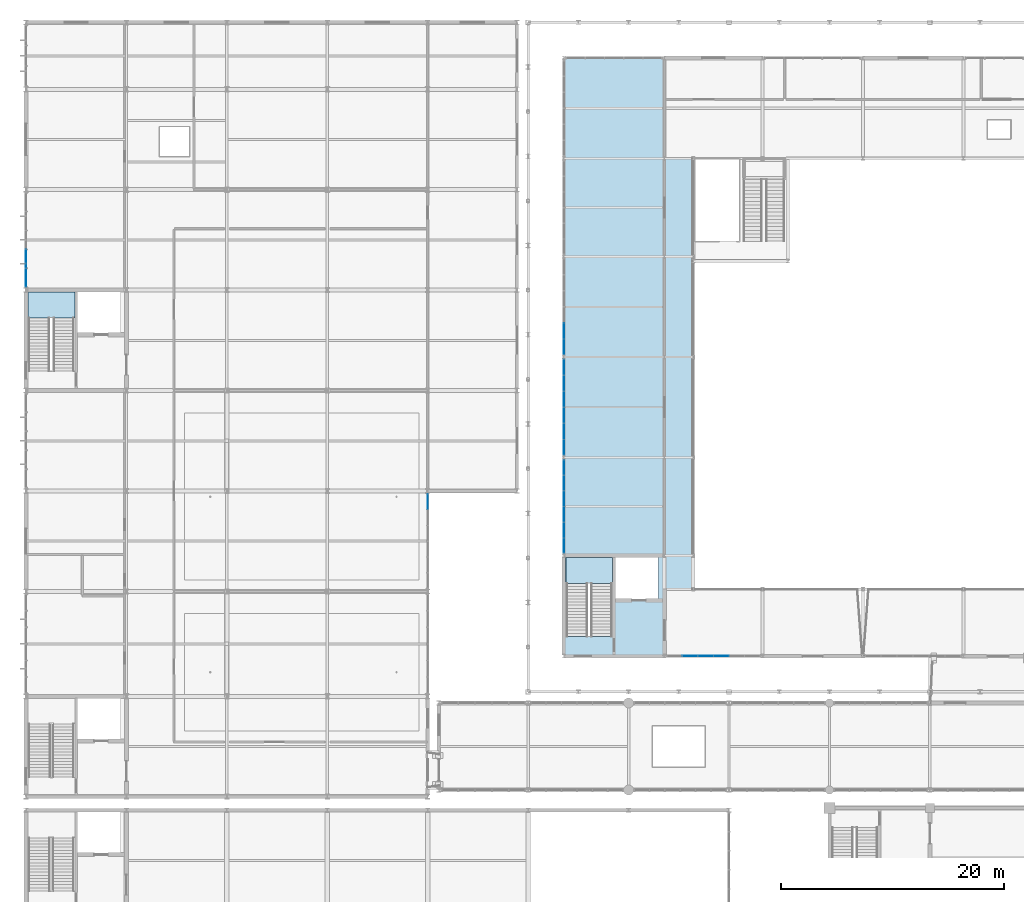
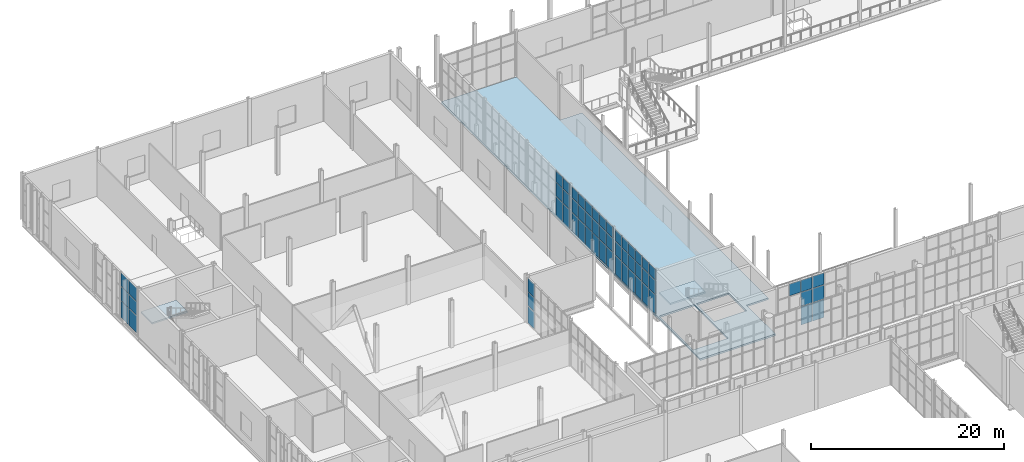
# One storey, part 103 of 159: 58 plates, 3 slabs, 8 elements without a shape of their own.
"""IFC4 building model written with IfcOpenShell, lengths in metres."""

from ifc_helpers import new_model, si_unit, direction, frame, origin, origin_2d, place, context, subcontext, project, spatial, polyline, rectangle, outline, extrude, material, layer, layer_set, type_object, element, aggregate, save


model = new_model("IFC4")

# Units and contexts
model_context = context("Model", 3, precision=1e-05, world=origin(), true_north=direction((0.0, 1.0)))
body_context = subcontext(model_context, "Body", "Model", "MODEL_VIEW")
ifc_project = project(units=[si_unit("LENGTHUNIT", "METRE"), si_unit("AREAUNIT", "SQUARE_METRE"), si_unit("VOLUMEUNIT", "CUBIC_METRE"), si_unit("PLANEANGLEUNIT", "RADIAN"), si_unit("MASSUNIT", "GRAM", prefix="KILO")], contexts=[model_context])

# Site, building, storey
site_placement = place(None, origin())
site = spatial("IfcSite", under=ifc_project, at=site_placement, CompositionType="ELEMENT")
building_placement = place(site_placement, origin())
building = spatial("IfcBuilding", under=site, at=building_placement, Name="Cazmaro Siding Exhibition Halls", CompositionType="ELEMENT")
storey_placement = place(building_placement, frame((0.0, 0.0, 6.0)))
storey = spatial("IfcBuildingStorey", under=building, at=storey_placement, Name="L01", CompositionType="ELEMENT", Elevation=6.0)

# Curtain wall, plates
ifc_material_1 = material(Name="Anodized Bronze Aluminum and Solar-Control Low-E Glazing", Category="aluminium")
ifc_layer_1 = layer(ifc_material_1, 0.179931640625)
ifc_layer_set_1 = layer_set([ifc_layer_1], Name="Anodized Bronze Aluminum and Solar-Control Low-E Glazing")
curtain_wall_type_1 = type_object("IfcCurtainWallType", Name="CWS-01", PredefinedType="USERDEFINED", material=ifc_layer_set_1)
curtain_wall_1_placement = place(storey_placement, origin())
curtain_wall_1 = element("IfcCurtainWall", 1, at=curtain_wall_1_placement, inside=storey, type_object=curtain_wall_type_1, Name="Glazed Curtain Wall CWS-01 CW-004", ObjectType="GLAZED CURTAIN WALL", PredefinedType="USERDEFINED")
ifc_material_2 = material(Name="Solar-Control Low-E Double Insulating Glass", Category="glass")
ifc_layer_2 = layer(ifc_material_2, 0.02392578125)
ifc_layer_set_2 = layer_set([ifc_layer_2], Name="Solar-Control Low-E Double Insulating Glass")
plate_type_1 = type_object("IfcPlateType", Name="CWP-01", PredefinedType="CURTAIN_PANEL", material=ifc_layer_set_2)
plate_1_placement = place(storey_placement, frame((59.49853515625, 67.199951171875, 4.22998046875), z_axis=(0.0, 0.0, 1.0), x_axis=(1.0, 0.0, 0.0)))
plate_1 = element("IfcPlate", 2, at=plate_1_placement, type_object=plate_type_1, Name="CWS-01 panel 2.3", PredefinedType="CURTAIN_PANEL", context=body_context, shape_type="SweptSolid", body=[
    extrude(rectangle(XDim=1.341064453125, YDim=0.02392578125, at=origin_2d()), origin(), (0.0, 0.0, 1.0), 1.489990234375),
])
plate_2_placement = place(storey_placement, frame((60.8994140625, 67.199951171875, 0.06005859375), z_axis=(0.0, 0.0, 1.0), x_axis=(1.0, 0.0, 0.0)))
plate_2 = element("IfcPlate", 3, at=plate_2_placement, type_object=plate_type_1, Name="CWS-01 panel 3.1", PredefinedType="CURTAIN_PANEL", context=body_context, shape_type="SweptSolid", body=[
    extrude(rectangle(XDim=1.341064453125, YDim=0.02392578125, at=origin_2d()), origin(), (0.0, 0.0, 1.0), 2.31005859375),
])
plate_3_placement = place(storey_placement, frame((60.8994140625, 67.199951171875, 2.43017578125), z_axis=(0.0, 0.0, 1.0), x_axis=(1.0, 0.0, 0.0)))
plate_3 = element("IfcPlate", 4, at=plate_3_placement, type_object=plate_type_1, Name="CWS-01 panel 3.2", PredefinedType="CURTAIN_PANEL", context=body_context, shape_type="SweptSolid", body=[
    extrude(rectangle(XDim=1.341064453125, YDim=0.02392578125, at=origin_2d()), origin(), (0.0, 0.0, 1.0), 1.739990234375),
])
plate_4_placement = place(storey_placement, frame((60.8994140625, 67.199951171875, 4.22998046875), z_axis=(0.0, 0.0, 1.0), x_axis=(1.0, 0.0, 0.0)))
plate_4 = element("IfcPlate", 5, at=plate_4_placement, type_object=plate_type_1, Name="CWS-01 panel 3.3", PredefinedType="CURTAIN_PANEL", context=body_context, shape_type="SweptSolid", body=[
    extrude(rectangle(XDim=1.341064453125, YDim=0.02392578125, at=origin_2d()), origin(), (0.0, 0.0, 1.0), 1.489990234375),
])
plate_5_placement = place(storey_placement, frame((62.300537109375, 67.199951171875, 0.06005859375), z_axis=(0.0, 0.0, 1.0), x_axis=(1.0, 0.0, 0.0)))
plate_5 = element("IfcPlate", 6, at=plate_5_placement, type_object=plate_type_1, Name="CWS-01 panel 4.1", PredefinedType="CURTAIN_PANEL", context=body_context, shape_type="SweptSolid", body=[
    extrude(rectangle(XDim=1.341064453125, YDim=0.02392578125, at=origin_2d()), origin(), (0.0, 0.0, 1.0), 2.31005859375),
])
plate_6_placement = place(storey_placement, frame((62.300537109375, 67.199951171875, 2.43017578125), z_axis=(0.0, 0.0, 1.0), x_axis=(1.0, 0.0, 0.0)))
plate_6 = element("IfcPlate", 7, at=plate_6_placement, type_object=plate_type_1, Name="CWS-01 panel 4.2", PredefinedType="CURTAIN_PANEL", context=body_context, shape_type="SweptSolid", body=[
    extrude(rectangle(XDim=1.341064453125, YDim=0.02392578125, at=origin_2d()), origin(), (0.0, 0.0, 1.0), 1.739990234375),
])
plate_7_placement = place(storey_placement, frame((62.300537109375, 67.199951171875, 4.22998046875), z_axis=(0.0, 0.0, 1.0), x_axis=(1.0, 0.0, 0.0)))
plate_7 = element("IfcPlate", 8, at=plate_7_placement, type_object=plate_type_1, Name="CWS-01 panel 4.3", PredefinedType="CURTAIN_PANEL", context=body_context, shape_type="SweptSolid", body=[
    extrude(rectangle(XDim=1.341064453125, YDim=0.02392578125, at=origin_2d()), origin(), (0.0, 0.0, 1.0), 1.489990234375),
])
aggregate(curtain_wall_1, [plate_1, plate_2, plate_3, plate_4, plate_5, plate_6, plate_7])

curtain_wall_2_placement = place(storey_placement, origin())
curtain_wall_2 = element("IfcCurtainWall", 9, at=curtain_wall_2_placement, inside=storey, type_object=curtain_wall_type_1, Name="Glazed Curtain Wall CWS-01 CW-232", ObjectType="GLAZED CURTAIN WALL", PredefinedType="USERDEFINED")
plate_8_placement = place(storey_placement, frame((36.0, 81.024169921875, 0.06005859375), z_axis=(0.0, 0.0, 1.0), x_axis=(0.0, 1.0, 0.0)))
plate_8 = element("IfcPlate", 10, at=plate_8_placement, type_object=plate_type_1, Name="CWS-01 panel 6.1", PredefinedType="CURTAIN_PANEL", context=body_context, shape_type="SweptSolid", body=[
    extrude(rectangle(XDim=1.32568359375, YDim=0.02392578125, at=origin_2d()), origin(), (0.0, 0.0, 1.0), 2.110107421875),
])
plate_9_placement = place(storey_placement, frame((36.0, 81.024169921875, 2.22998046875), z_axis=(0.0, 0.0, 1.0), x_axis=(0.0, 1.0, 0.0)))
plate_9 = element("IfcPlate", 11, at=plate_9_placement, type_object=plate_type_1, Name="CWS-01 panel 6.2", PredefinedType="CURTAIN_PANEL", context=body_context, shape_type="SweptSolid", body=[
    extrude(rectangle(XDim=1.32568359375, YDim=0.02392578125, at=origin_2d()), origin(), (0.0, 0.0, 1.0), 1.739990234375),
])
plate_10_placement = place(storey_placement, frame((36.0, 81.024169921875, 4.030029296875), z_axis=(0.0, 0.0, 1.0), x_axis=(0.0, 1.0, 0.0)))
plate_10 = element("IfcPlate", 12, at=plate_10_placement, type_object=plate_type_1, Name="CWS-01 panel 6.3", PredefinedType="CURTAIN_PANEL", context=body_context, shape_type="SweptSolid", body=[
    extrude(rectangle(XDim=1.32568359375, YDim=0.02392578125, at=origin_2d()), origin(), (0.0, 0.0, 1.0), 1.68994140625),
])
aggregate(curtain_wall_2, [plate_8, plate_9, plate_10])

ifc_material_3 = material(Name="Anodized Bronze Aluminum and Solar-Control Low-E Glazing", Category="aluminium")
ifc_layer_3 = layer(ifc_material_3, 0.199951171875)
ifc_layer_set_3 = layer_set([ifc_layer_3], Name="Anodized Bronze Aluminum and Solar-Control Low-E Glazing")
curtain_wall_type_2 = type_object("IfcCurtainWallType", Name="CWS-02", PredefinedType="USERDEFINED", material=ifc_layer_set_3)
curtain_wall_3_placement = place(storey_placement, origin())
curtain_wall_3 = element("IfcCurtainWall", 13, at=curtain_wall_3_placement, inside=storey, type_object=curtain_wall_type_2, Name="Glazed Curtain Wall CWS-02 CW-234", ObjectType="GLAZED CURTAIN WALL", PredefinedType="USERDEFINED")
ifc_material_4 = material(Name="Solar-Control Low-E Double Insulating Glass", Category="glass")
ifc_layer_4 = layer(ifc_material_4, 0.035888671875)
ifc_layer_set_4 = layer_set([ifc_layer_4], Name="Solar-Control Low-E Double Insulating Glass")
plate_type_2 = type_object("IfcPlateType", Name="CWP-02", PredefinedType="CURTAIN_PANEL", material=ifc_layer_set_4)
plate_11_placement = place(storey_placement, frame((0.0, 102.80126953125, 0.06494140625), z_axis=(0.0, 0.0, 1.0), x_axis=(0.0, -1.0, 0.0)))
plate_11 = element("IfcPlate", 14, at=plate_11_placement, type_object=plate_type_2, Name="CWS-02 panel 4.1", PredefinedType="CURTAIN_PANEL", context=body_context, shape_type="SweptSolid", body=[
    extrude(rectangle(XDim=1.6337890625, YDim=0.035888671875, at=origin_2d()), origin(), (0.0, 0.0, 1.0), 2.1025390625),
])
plate_12_placement = place(storey_placement, frame((0.0, 102.80126953125, 2.232421875), z_axis=(0.0, 0.0, 1.0), x_axis=(0.0, -1.0, 0.0)))
plate_12 = element("IfcPlate", 15, at=plate_12_placement, type_object=plate_type_2, Name="CWS-02 panel 4.2", PredefinedType="CURTAIN_PANEL", context=body_context, shape_type="SweptSolid", body=[
    extrude(rectangle(XDim=1.6337890625, YDim=0.035888671875, at=origin_2d()), origin(), (0.0, 0.0, 1.0), 1.735107421875),
])
plate_13_placement = place(storey_placement, frame((0.0, 102.80126953125, 4.032470703125), z_axis=(0.0, 0.0, 1.0), x_axis=(0.0, -1.0, 0.0)))
plate_13 = element("IfcPlate", 16, at=plate_13_placement, type_object=plate_type_2, Name="CWS-02 panel 4.3", PredefinedType="CURTAIN_PANEL", context=body_context, shape_type="SweptSolid", body=[
    extrude(rectangle(XDim=1.6337890625, YDim=0.035888671875, at=origin_2d()), origin(), (0.0, 0.0, 1.0), 1.6826171875),
])
plate_14_placement = place(storey_placement, frame((0.0, 101.11865234375, 0.06494140625), z_axis=(0.0, 0.0, 1.0), x_axis=(0.0, -1.0, 0.0)))
plate_14 = element("IfcPlate", 17, at=plate_14_placement, type_object=plate_type_2, Name="CWS-02 panel 5.1", PredefinedType="CURTAIN_PANEL", context=body_context, shape_type="SweptSolid", body=[
    extrude(rectangle(XDim=1.601318359375, YDim=0.035888671875, at=origin_2d()), origin(), (0.0, 0.0, 1.0), 2.1025390625),
])
plate_15_placement = place(storey_placement, frame((0.0, 101.11865234375, 2.232421875), z_axis=(0.0, 0.0, 1.0), x_axis=(0.0, -1.0, 0.0)))
plate_15 = element("IfcPlate", 18, at=plate_15_placement, type_object=plate_type_2, Name="CWS-02 panel 5.2", PredefinedType="CURTAIN_PANEL", context=body_context, shape_type="SweptSolid", body=[
    extrude(rectangle(XDim=1.601318359375, YDim=0.035888671875, at=origin_2d()), origin(), (0.0, 0.0, 1.0), 1.735107421875),
])
plate_16_placement = place(storey_placement, frame((0.0, 101.11865234375, 4.032470703125), z_axis=(0.0, 0.0, 1.0), x_axis=(0.0, -1.0, 0.0)))
plate_16 = element("IfcPlate", 19, at=plate_16_placement, type_object=plate_type_2, Name="CWS-02 panel 5.3", PredefinedType="CURTAIN_PANEL", context=body_context, shape_type="SweptSolid", body=[
    extrude(rectangle(XDim=1.601318359375, YDim=0.035888671875, at=origin_2d()), origin(), (0.0, 0.0, 1.0), 1.6826171875),
])
aggregate(curtain_wall_3, [plate_11, plate_12, plate_13, plate_14, plate_15, plate_16])

ifc_material_5 = material(Name="Anodized Bronze Aluminum and Solar-Control Low-E Glazing", Category="aluminium")
ifc_layer_5 = layer(ifc_material_5, 0.219970703125)
ifc_layer_set_5 = layer_set([ifc_layer_5], Name="Anodized Bronze Aluminum and Solar-Control Low-E Glazing")
curtain_wall_type_3 = type_object("IfcCurtainWallType", Name="CWS-03", PredefinedType="USERDEFINED", material=ifc_layer_set_5)
curtain_wall_4_placement = place(storey_placement, origin())
curtain_wall_4 = element("IfcCurtainWall", 20, at=curtain_wall_4_placement, inside=storey, type_object=curtain_wall_type_3, Name="Glazed Curtain Wall CWS-03 CW-051", ObjectType="GLAZED CURTAIN WALL", PredefinedType="USERDEFINED")
ifc_material_6 = material(Name="Solar-Control Low-E Double Insulating Glass", Category="glass")
ifc_layer_6 = layer(ifc_material_6, 0.0458984375)
ifc_layer_set_6 = layer_set([ifc_layer_6], Name="Solar-Control Low-E Double Insulating Glass")
plate_type_3 = type_object("IfcPlateType", Name="CWP-03", PredefinedType="CURTAIN_PANEL", material=ifc_layer_set_6)
plate_17_placement = place(storey_placement, frame((48.199951171875, 84.1015625, 0.070068359375), z_axis=(0.0, 0.0, 1.0), x_axis=(0.0, -1.0, 0.0)))
plate_17 = element("IfcPlate", 21, at=plate_17_placement, type_object=plate_type_3, Name="CWS-03 panel 1.1", PredefinedType="CURTAIN_PANEL", context=body_context, shape_type="SweptSolid", body=[
    extrude(rectangle(XDim=1.302734375, YDim=0.0458984375, at=origin_2d()), origin(), (0.0, 0.0, 1.0), 2.39501953125),
])
plate_18_placement = place(storey_placement, frame((48.199951171875, 84.1015625, 2.534912109375), z_axis=(0.0, 0.0, 1.0), x_axis=(0.0, -1.0, 0.0)))
plate_18 = element("IfcPlate", 22, at=plate_18_placement, type_object=plate_type_3, Name="CWS-03 panel 1.2", PredefinedType="CURTAIN_PANEL", context=body_context, shape_type="SweptSolid", body=[
    extrude(rectangle(XDim=1.302734375, YDim=0.0458984375, at=origin_2d()), origin(), (0.0, 0.0, 1.0), 1.72998046875),
])
plate_19_placement = place(storey_placement, frame((48.199951171875, 84.1015625, 4.3349609375), z_axis=(0.0, 0.0, 1.0), x_axis=(0.0, -1.0, 0.0)))
plate_19 = element("IfcPlate", 23, at=plate_19_placement, type_object=plate_type_3, Name="CWS-03 panel 1.3", PredefinedType="CURTAIN_PANEL", context=body_context, shape_type="SweptSolid", body=[
    extrude(rectangle(XDim=1.302734375, YDim=0.0458984375, at=origin_2d()), origin(), (0.0, 0.0, 1.0), 1.375),
])
plate_20_placement = place(storey_placement, frame((48.199951171875, 82.71142578125, 0.070068359375), z_axis=(0.0, 0.0, 1.0), x_axis=(0.0, -1.0, 0.0)))
plate_20 = element("IfcPlate", 24, at=plate_20_placement, type_object=plate_type_3, Name="CWS-03 panel 2.1", PredefinedType="CURTAIN_PANEL", context=body_context, shape_type="SweptSolid", body=[
    extrude(rectangle(XDim=1.337646484375, YDim=0.0458984375, at=origin_2d()), origin(), (0.0, 0.0, 1.0), 2.39501953125),
])
plate_21_placement = place(storey_placement, frame((48.199951171875, 82.71142578125, 2.534912109375), z_axis=(0.0, 0.0, 1.0), x_axis=(0.0, -1.0, 0.0)))
plate_21 = element("IfcPlate", 25, at=plate_21_placement, type_object=plate_type_3, Name="CWS-03 panel 2.2", PredefinedType="CURTAIN_PANEL", context=body_context, shape_type="SweptSolid", body=[
    extrude(rectangle(XDim=1.337646484375, YDim=0.0458984375, at=origin_2d()), origin(), (0.0, 0.0, 1.0), 1.72998046875),
])
plate_22_placement = place(storey_placement, frame((48.199951171875, 82.71142578125, 4.3349609375), z_axis=(0.0, 0.0, 1.0), x_axis=(0.0, -1.0, 0.0)))
plate_22 = element("IfcPlate", 26, at=plate_22_placement, type_object=plate_type_3, Name="CWS-03 panel 2.3", PredefinedType="CURTAIN_PANEL", context=body_context, shape_type="SweptSolid", body=[
    extrude(rectangle(XDim=1.337646484375, YDim=0.0458984375, at=origin_2d()), origin(), (0.0, 0.0, 1.0), 1.375),
])
plate_23_placement = place(storey_placement, frame((48.199951171875, 81.303955078125, 0.070068359375), z_axis=(0.0, 0.0, 1.0), x_axis=(0.0, -1.0, 0.0)))
plate_23 = element("IfcPlate", 27, at=plate_23_placement, type_object=plate_type_3, Name="CWS-03 panel 3.1", PredefinedType="CURTAIN_PANEL", context=body_context, shape_type="SweptSolid", body=[
    extrude(rectangle(XDim=1.337646484375, YDim=0.0458984375, at=origin_2d()), origin(), (0.0, 0.0, 1.0), 2.39501953125),
])
plate_24_placement = place(storey_placement, frame((48.199951171875, 81.303955078125, 2.534912109375), z_axis=(0.0, 0.0, 1.0), x_axis=(0.0, -1.0, 0.0)))
plate_24 = element("IfcPlate", 28, at=plate_24_placement, type_object=plate_type_3, Name="CWS-03 panel 3.2", PredefinedType="CURTAIN_PANEL", context=body_context, shape_type="SweptSolid", body=[
    extrude(rectangle(XDim=1.337646484375, YDim=0.0458984375, at=origin_2d()), origin(), (0.0, 0.0, 1.0), 1.72998046875),
])
plate_25_placement = place(storey_placement, frame((48.199951171875, 81.303955078125, 4.3349609375), z_axis=(0.0, 0.0, 1.0), x_axis=(0.0, -1.0, 0.0)))
plate_25 = element("IfcPlate", 29, at=plate_25_placement, type_object=plate_type_3, Name="CWS-03 panel 3.3", PredefinedType="CURTAIN_PANEL", context=body_context, shape_type="SweptSolid", body=[
    extrude(rectangle(XDim=1.337646484375, YDim=0.0458984375, at=origin_2d()), origin(), (0.0, 0.0, 1.0), 1.375),
])
plate_26_placement = place(storey_placement, frame((48.199951171875, 79.896240234375, 0.070068359375), z_axis=(0.0, 0.0, 1.0), x_axis=(0.0, -1.0, 0.0)))
plate_26 = element("IfcPlate", 30, at=plate_26_placement, type_object=plate_type_3, Name="CWS-03 panel 4.1", PredefinedType="CURTAIN_PANEL", context=body_context, shape_type="SweptSolid", body=[
    extrude(rectangle(XDim=1.337646484375, YDim=0.0458984375, at=origin_2d()), origin(), (0.0, 0.0, 1.0), 2.39501953125),
])
plate_27_placement = place(storey_placement, frame((48.199951171875, 79.896240234375, 2.534912109375), z_axis=(0.0, 0.0, 1.0), x_axis=(0.0, -1.0, 0.0)))
plate_27 = element("IfcPlate", 31, at=plate_27_placement, type_object=plate_type_3, Name="CWS-03 panel 4.2", PredefinedType="CURTAIN_PANEL", context=body_context, shape_type="SweptSolid", body=[
    extrude(rectangle(XDim=1.337646484375, YDim=0.0458984375, at=origin_2d()), origin(), (0.0, 0.0, 1.0), 1.72998046875),
])
plate_28_placement = place(storey_placement, frame((48.199951171875, 79.896240234375, 4.3349609375), z_axis=(0.0, 0.0, 1.0), x_axis=(0.0, -1.0, 0.0)))
plate_28 = element("IfcPlate", 32, at=plate_28_placement, type_object=plate_type_3, Name="CWS-03 panel 4.3", PredefinedType="CURTAIN_PANEL", context=body_context, shape_type="SweptSolid", body=[
    extrude(rectangle(XDim=1.337646484375, YDim=0.0458984375, at=origin_2d()), origin(), (0.0, 0.0, 1.0), 1.375),
])
plate_29_placement = place(storey_placement, frame((48.199951171875, 78.488525390625, 0.070068359375), z_axis=(0.0, 0.0, 1.0), x_axis=(0.0, -1.0, 0.0)))
plate_29 = element("IfcPlate", 33, at=plate_29_placement, type_object=plate_type_3, Name="CWS-03 panel 5.1", PredefinedType="CURTAIN_PANEL", context=body_context, shape_type="SweptSolid", body=[
    extrude(rectangle(XDim=1.337646484375, YDim=0.0458984375, at=origin_2d()), origin(), (0.0, 0.0, 1.0), 2.39501953125),
])
plate_30_placement = place(storey_placement, frame((48.199951171875, 78.488525390625, 2.534912109375), z_axis=(0.0, 0.0, 1.0), x_axis=(0.0, -1.0, 0.0)))
plate_30 = element("IfcPlate", 34, at=plate_30_placement, type_object=plate_type_3, Name="CWS-03 panel 5.2", PredefinedType="CURTAIN_PANEL", context=body_context, shape_type="SweptSolid", body=[
    extrude(rectangle(XDim=1.337646484375, YDim=0.0458984375, at=origin_2d()), origin(), (0.0, 0.0, 1.0), 1.72998046875),
])
plate_31_placement = place(storey_placement, frame((48.199951171875, 78.488525390625, 4.3349609375), z_axis=(0.0, 0.0, 1.0), x_axis=(0.0, -1.0, 0.0)))
plate_31 = element("IfcPlate", 35, at=plate_31_placement, type_object=plate_type_3, Name="CWS-03 panel 5.3", PredefinedType="CURTAIN_PANEL", context=body_context, shape_type="SweptSolid", body=[
    extrude(rectangle(XDim=1.337646484375, YDim=0.0458984375, at=origin_2d()), origin(), (0.0, 0.0, 1.0), 1.375),
])
plate_32_placement = place(storey_placement, frame((48.199951171875, 77.098388671875, 0.070068359375), z_axis=(0.0, 0.0, 1.0), x_axis=(0.0, -1.0, 0.0)))
plate_32 = element("IfcPlate", 36, at=plate_32_placement, type_object=plate_type_3, Name="CWS-03 panel 6.1", PredefinedType="CURTAIN_PANEL", context=body_context, shape_type="SweptSolid", body=[
    extrude(rectangle(XDim=1.302734375, YDim=0.0458984375, at=origin_2d()), origin(), (0.0, 0.0, 1.0), 2.39501953125),
])
plate_33_placement = place(storey_placement, frame((48.199951171875, 77.098388671875, 2.534912109375), z_axis=(0.0, 0.0, 1.0), x_axis=(0.0, -1.0, 0.0)))
plate_33 = element("IfcPlate", 37, at=plate_33_placement, type_object=plate_type_3, Name="CWS-03 panel 6.2", PredefinedType="CURTAIN_PANEL", context=body_context, shape_type="SweptSolid", body=[
    extrude(rectangle(XDim=1.302734375, YDim=0.0458984375, at=origin_2d()), origin(), (0.0, 0.0, 1.0), 1.72998046875),
])
plate_34_placement = place(storey_placement, frame((48.199951171875, 77.098388671875, 4.3349609375), z_axis=(0.0, 0.0, 1.0), x_axis=(0.0, -1.0, 0.0)))
plate_34 = element("IfcPlate", 38, at=plate_34_placement, type_object=plate_type_3, Name="CWS-03 panel 6.3", PredefinedType="CURTAIN_PANEL", context=body_context, shape_type="SweptSolid", body=[
    extrude(rectangle(XDim=1.302734375, YDim=0.0458984375, at=origin_2d()), origin(), (0.0, 0.0, 1.0), 1.375),
])
aggregate(curtain_wall_4, [plate_17, plate_18, plate_19, plate_20, plate_21, plate_22, plate_23, plate_24, plate_25, plate_26, plate_27, plate_28, plate_29, plate_30, plate_31, plate_32, plate_33, plate_34])

curtain_wall_5_placement = place(storey_placement, origin())
curtain_wall_5 = element("IfcCurtainWall", 39, at=curtain_wall_5_placement, inside=storey, type_object=curtain_wall_type_3, Name="Glazed Curtain Wall CWS-03 CW-054", ObjectType="GLAZED CURTAIN WALL", PredefinedType="USERDEFINED")
plate_35_placement = place(storey_placement, frame((48.199951171875, 93.0849609375, 0.070068359375), z_axis=(0.0, 0.0, 1.0), x_axis=(0.0, -1.0, 0.0)))
plate_35 = element("IfcPlate", 40, at=plate_35_placement, type_object=plate_type_3, Name="CWS-03 panel 1.1", PredefinedType="CURTAIN_PANEL", context=body_context, shape_type="SweptSolid", body=[
    extrude(rectangle(XDim=1.3359375, YDim=0.0458984375, at=origin_2d()), origin(), (0.0, 0.0, 1.0), 2.39501953125),
])
plate_36_placement = place(storey_placement, frame((48.199951171875, 93.0849609375, 2.534912109375), z_axis=(0.0, 0.0, 1.0), x_axis=(0.0, -1.0, 0.0)))
plate_36 = element("IfcPlate", 41, at=plate_36_placement, type_object=plate_type_3, Name="CWS-03 panel 1.2", PredefinedType="CURTAIN_PANEL", context=body_context, shape_type="SweptSolid", body=[
    extrude(rectangle(XDim=1.3359375, YDim=0.0458984375, at=origin_2d()), origin(), (0.0, 0.0, 1.0), 1.72998046875),
])
plate_37_placement = place(storey_placement, frame((48.199951171875, 93.0849609375, 4.3349609375), z_axis=(0.0, 0.0, 1.0), x_axis=(0.0, -1.0, 0.0)))
plate_37 = element("IfcPlate", 42, at=plate_37_placement, type_object=plate_type_3, Name="CWS-03 panel 1.3", PredefinedType="CURTAIN_PANEL", context=body_context, shape_type="SweptSolid", body=[
    extrude(rectangle(XDim=1.3359375, YDim=0.0458984375, at=origin_2d()), origin(), (0.0, 0.0, 1.0), 1.375),
])
plate_38_placement = place(storey_placement, frame((48.199951171875, 91.66162109375, 0.070068359375), z_axis=(0.0, 0.0, 1.0), x_axis=(0.0, -1.0, 0.0)))
plate_38 = element("IfcPlate", 43, at=plate_38_placement, type_object=plate_type_3, Name="CWS-03 panel 2.1", PredefinedType="CURTAIN_PANEL", context=body_context, shape_type="SweptSolid", body=[
    extrude(rectangle(XDim=1.37109375, YDim=0.0458984375, at=origin_2d()), origin(), (0.0, 0.0, 1.0), 2.39501953125),
])
plate_39_placement = place(storey_placement, frame((48.199951171875, 91.66162109375, 2.534912109375), z_axis=(0.0, 0.0, 1.0), x_axis=(0.0, -1.0, 0.0)))
plate_39 = element("IfcPlate", 44, at=plate_39_placement, type_object=plate_type_3, Name="CWS-03 panel 2.2", PredefinedType="CURTAIN_PANEL", context=body_context, shape_type="SweptSolid", body=[
    extrude(rectangle(XDim=1.37109375, YDim=0.0458984375, at=origin_2d()), origin(), (0.0, 0.0, 1.0), 1.72998046875),
])
plate_40_placement = place(storey_placement, frame((48.199951171875, 91.66162109375, 4.3349609375), z_axis=(0.0, 0.0, 1.0), x_axis=(0.0, -1.0, 0.0)))
plate_40 = element("IfcPlate", 45, at=plate_40_placement, type_object=plate_type_3, Name="CWS-03 panel 2.3", PredefinedType="CURTAIN_PANEL", context=body_context, shape_type="SweptSolid", body=[
    extrude(rectangle(XDim=1.37109375, YDim=0.0458984375, at=origin_2d()), origin(), (0.0, 0.0, 1.0), 1.375),
])
plate_41_placement = place(storey_placement, frame((48.199951171875, 90.220458984375, 0.070068359375), z_axis=(0.0, 0.0, 1.0), x_axis=(0.0, -1.0, 0.0)))
plate_41 = element("IfcPlate", 46, at=plate_41_placement, type_object=plate_type_3, Name="CWS-03 panel 3.1", PredefinedType="CURTAIN_PANEL", context=body_context, shape_type="SweptSolid", body=[
    extrude(rectangle(XDim=1.37109375, YDim=0.0458984375, at=origin_2d()), origin(), (0.0, 0.0, 1.0), 2.39501953125),
])
plate_42_placement = place(storey_placement, frame((48.199951171875, 90.220458984375, 2.534912109375), z_axis=(0.0, 0.0, 1.0), x_axis=(0.0, -1.0, 0.0)))
plate_42 = element("IfcPlate", 47, at=plate_42_placement, type_object=plate_type_3, Name="CWS-03 panel 3.2", PredefinedType="CURTAIN_PANEL", context=body_context, shape_type="SweptSolid", body=[
    extrude(rectangle(XDim=1.37109375, YDim=0.0458984375, at=origin_2d()), origin(), (0.0, 0.0, 1.0), 1.72998046875),
])
plate_43_placement = place(storey_placement, frame((48.199951171875, 90.220458984375, 4.3349609375), z_axis=(0.0, 0.0, 1.0), x_axis=(0.0, -1.0, 0.0)))
plate_43 = element("IfcPlate", 48, at=plate_43_placement, type_object=plate_type_3, Name="CWS-03 panel 3.3", PredefinedType="CURTAIN_PANEL", context=body_context, shape_type="SweptSolid", body=[
    extrude(rectangle(XDim=1.37109375, YDim=0.0458984375, at=origin_2d()), origin(), (0.0, 0.0, 1.0), 1.375),
])
plate_44_placement = place(storey_placement, frame((48.199951171875, 88.779541015625, 0.070068359375), z_axis=(0.0, 0.0, 1.0), x_axis=(0.0, -1.0, 0.0)))
plate_44 = element("IfcPlate", 49, at=plate_44_placement, type_object=plate_type_3, Name="CWS-03 panel 4.1", PredefinedType="CURTAIN_PANEL", context=body_context, shape_type="SweptSolid", body=[
    extrude(rectangle(XDim=1.37109375, YDim=0.0458984375, at=origin_2d()), origin(), (0.0, 0.0, 1.0), 2.39501953125),
])
plate_45_placement = place(storey_placement, frame((48.199951171875, 88.779541015625, 2.534912109375), z_axis=(0.0, 0.0, 1.0), x_axis=(0.0, -1.0, 0.0)))
plate_45 = element("IfcPlate", 50, at=plate_45_placement, type_object=plate_type_3, Name="CWS-03 panel 4.2", PredefinedType="CURTAIN_PANEL", context=body_context, shape_type="SweptSolid", body=[
    extrude(rectangle(XDim=1.37109375, YDim=0.0458984375, at=origin_2d()), origin(), (0.0, 0.0, 1.0), 1.72998046875),
])
plate_46_placement = place(storey_placement, frame((48.199951171875, 88.779541015625, 4.3349609375), z_axis=(0.0, 0.0, 1.0), x_axis=(0.0, -1.0, 0.0)))
plate_46 = element("IfcPlate", 51, at=plate_46_placement, type_object=plate_type_3, Name="CWS-03 panel 4.3", PredefinedType="CURTAIN_PANEL", context=body_context, shape_type="SweptSolid", body=[
    extrude(rectangle(XDim=1.37109375, YDim=0.0458984375, at=origin_2d()), origin(), (0.0, 0.0, 1.0), 1.375),
])
plate_47_placement = place(storey_placement, frame((48.199951171875, 87.33837890625, 0.070068359375), z_axis=(0.0, 0.0, 1.0), x_axis=(0.0, -1.0, 0.0)))
plate_47 = element("IfcPlate", 52, at=plate_47_placement, type_object=plate_type_3, Name="CWS-03 panel 5.1", PredefinedType="CURTAIN_PANEL", context=body_context, shape_type="SweptSolid", body=[
    extrude(rectangle(XDim=1.37109375, YDim=0.0458984375, at=origin_2d()), origin(), (0.0, 0.0, 1.0), 2.39501953125),
])
plate_48_placement = place(storey_placement, frame((48.199951171875, 87.33837890625, 2.534912109375), z_axis=(0.0, 0.0, 1.0), x_axis=(0.0, -1.0, 0.0)))
plate_48 = element("IfcPlate", 53, at=plate_48_placement, type_object=plate_type_3, Name="CWS-03 panel 5.2", PredefinedType="CURTAIN_PANEL", context=body_context, shape_type="SweptSolid", body=[
    extrude(rectangle(XDim=1.37109375, YDim=0.0458984375, at=origin_2d()), origin(), (0.0, 0.0, 1.0), 1.72998046875),
])
plate_49_placement = place(storey_placement, frame((48.199951171875, 87.33837890625, 4.3349609375), z_axis=(0.0, 0.0, 1.0), x_axis=(0.0, -1.0, 0.0)))
plate_49 = element("IfcPlate", 54, at=plate_49_placement, type_object=plate_type_3, Name="CWS-03 panel 5.3", PredefinedType="CURTAIN_PANEL", context=body_context, shape_type="SweptSolid", body=[
    extrude(rectangle(XDim=1.37109375, YDim=0.0458984375, at=origin_2d()), origin(), (0.0, 0.0, 1.0), 1.375),
])
plate_50_placement = place(storey_placement, frame((48.199951171875, 85.9150390625, 0.070068359375), z_axis=(0.0, 0.0, 1.0), x_axis=(0.0, -1.0, 0.0)))
plate_50 = element("IfcPlate", 55, at=plate_50_placement, type_object=plate_type_3, Name="CWS-03 panel 6.1", PredefinedType="CURTAIN_PANEL", context=body_context, shape_type="SweptSolid", body=[
    extrude(rectangle(XDim=1.3359375, YDim=0.0458984375, at=origin_2d()), origin(), (0.0, 0.0, 1.0), 2.39501953125),
])
plate_51_placement = place(storey_placement, frame((48.199951171875, 85.9150390625, 2.534912109375), z_axis=(0.0, 0.0, 1.0), x_axis=(0.0, -1.0, 0.0)))
plate_51 = element("IfcPlate", 56, at=plate_51_placement, type_object=plate_type_3, Name="CWS-03 panel 6.2", PredefinedType="CURTAIN_PANEL", context=body_context, shape_type="SweptSolid", body=[
    extrude(rectangle(XDim=1.3359375, YDim=0.0458984375, at=origin_2d()), origin(), (0.0, 0.0, 1.0), 1.72998046875),
])
plate_52_placement = place(storey_placement, frame((48.199951171875, 85.9150390625, 4.3349609375), z_axis=(0.0, 0.0, 1.0), x_axis=(0.0, -1.0, 0.0)))
plate_52 = element("IfcPlate", 57, at=plate_52_placement, type_object=plate_type_3, Name="CWS-03 panel 6.3", PredefinedType="CURTAIN_PANEL", context=body_context, shape_type="SweptSolid", body=[
    extrude(rectangle(XDim=1.3359375, YDim=0.0458984375, at=origin_2d()), origin(), (0.0, 0.0, 1.0), 1.375),
])
aggregate(curtain_wall_5, [plate_35, plate_36, plate_37, plate_38, plate_39, plate_40, plate_41, plate_42, plate_43, plate_44, plate_45, plate_46, plate_47, plate_48, plate_49, plate_50, plate_51, plate_52])

curtain_wall_6_placement = place(storey_placement, origin())
curtain_wall_6 = element("IfcCurtainWall", 58, at=curtain_wall_6_placement, inside=storey, type_object=curtain_wall_type_3, Name="Glazed Curtain Wall CWS-03 CW-057", ObjectType="GLAZED CURTAIN WALL", PredefinedType="USERDEFINED")
plate_53_placement = place(storey_placement, frame((48.199951171875, 96.33837890625, 0.070068359375), z_axis=(0.0, 0.0, 1.0), x_axis=(0.0, -1.0, 0.0)))
plate_53 = element("IfcPlate", 59, at=plate_53_placement, type_object=plate_type_3, Name="CWS-03 panel 5.1", PredefinedType="CURTAIN_PANEL", context=body_context, shape_type="SweptSolid", body=[
    extrude(rectangle(XDim=1.37109375, YDim=0.0458984375, at=origin_2d()), origin(), (0.0, 0.0, 1.0), 2.39501953125),
])
plate_54_placement = place(storey_placement, frame((48.199951171875, 96.33837890625, 2.534912109375), z_axis=(0.0, 0.0, 1.0), x_axis=(0.0, -1.0, 0.0)))
plate_54 = element("IfcPlate", 60, at=plate_54_placement, type_object=plate_type_3, Name="CWS-03 panel 5.2", PredefinedType="CURTAIN_PANEL", context=body_context, shape_type="SweptSolid", body=[
    extrude(rectangle(XDim=1.37109375, YDim=0.0458984375, at=origin_2d()), origin(), (0.0, 0.0, 1.0), 1.72998046875),
])
plate_55_placement = place(storey_placement, frame((48.199951171875, 96.33837890625, 4.3349609375), z_axis=(0.0, 0.0, 1.0), x_axis=(0.0, -1.0, 0.0)))
plate_55 = element("IfcPlate", 61, at=plate_55_placement, type_object=plate_type_3, Name="CWS-03 panel 5.3", PredefinedType="CURTAIN_PANEL", context=body_context, shape_type="SweptSolid", body=[
    extrude(rectangle(XDim=1.37109375, YDim=0.0458984375, at=origin_2d()), origin(), (0.0, 0.0, 1.0), 1.375),
])
plate_56_placement = place(storey_placement, frame((48.199951171875, 94.9150390625, 0.070068359375), z_axis=(0.0, 0.0, 1.0), x_axis=(0.0, -1.0, 0.0)))
plate_56 = element("IfcPlate", 62, at=plate_56_placement, type_object=plate_type_3, Name="CWS-03 panel 6.1", PredefinedType="CURTAIN_PANEL", context=body_context, shape_type="SweptSolid", body=[
    extrude(rectangle(XDim=1.3359375, YDim=0.0458984375, at=origin_2d()), origin(), (0.0, 0.0, 1.0), 2.39501953125),
])
plate_57_placement = place(storey_placement, frame((48.199951171875, 94.9150390625, 2.534912109375), z_axis=(0.0, 0.0, 1.0), x_axis=(0.0, -1.0, 0.0)))
plate_57 = element("IfcPlate", 63, at=plate_57_placement, type_object=plate_type_3, Name="CWS-03 panel 6.2", PredefinedType="CURTAIN_PANEL", context=body_context, shape_type="SweptSolid", body=[
    extrude(rectangle(XDim=1.3359375, YDim=0.0458984375, at=origin_2d()), origin(), (0.0, 0.0, 1.0), 1.72998046875),
])
plate_58_placement = place(storey_placement, frame((48.199951171875, 94.9150390625, 4.3349609375), z_axis=(0.0, 0.0, 1.0), x_axis=(0.0, -1.0, 0.0)))
plate_58 = element("IfcPlate", 64, at=plate_58_placement, type_object=plate_type_3, Name="CWS-03 panel 6.3", PredefinedType="CURTAIN_PANEL", context=body_context, shape_type="SweptSolid", body=[
    extrude(rectangle(XDim=1.3359375, YDim=0.0458984375, at=origin_2d()), origin(), (0.0, 0.0, 1.0), 1.375),
])
aggregate(curtain_wall_6, [plate_53, plate_54, plate_55, plate_56, plate_57, plate_58])

# Slab
ifc_material_7 = material(Name="Concrete f'c 35 MPa", Category="concrete")
ifc_layer_7 = layer(ifc_material_7, 0.219970703125)
ifc_layer_set_7 = layer_set([ifc_layer_7], Name="Concrete f'c 35 MPa")
slab_type_1 = type_object("IfcSlabType", Name="FS-01", PredefinedType="FLOOR", material=ifc_layer_set_7)
slab_1_placement = place(storey_placement, frame((0.0, 0.0, -0.219970703125)))
element("IfcSlab", 65, at=slab_1_placement, inside=storey, type_object=slab_type_1, Name="Hall A West Gallery L01 FS-01 SLB-0012", PredefinedType="FLOOR", context=body_context, shape_type="SweptSolid", body=[
    extrude(outline(polyline([(48.199951171875, 67.199951171875), (57.199951171875, 67.199951171875), (57.199951171875, 73.199951171875), (59.800048828125, 73.199951171875), (59.800048828125, 111.800048828125), (57.199951171875, 111.800048828125), (57.199951171875, 120.800048828125), (48.199951171875, 120.800048828125), (48.199951171875, 67.199951171875)]), holes=[polyline([(48.3798828125, 68.97998046875), (52.574951171875, 68.97998046875), (52.574951171875, 76.02001953125), (48.3798828125, 76.02001953125), (48.3798828125, 68.97998046875)]), polyline([(52.824951171875, 72.320068359375), (56.679931640625, 72.320068359375), (56.679931640625, 76.02001953125), (52.824951171875, 76.02001953125), (52.824951171875, 72.320068359375)])]), origin(), (0.0, 0.0, 1.0), 0.219970703125),
])

# Stair, slab
ifc_material_8 = material(Name="Concrete f'c 40 MPa", Category="concrete")
stair_type_1 = type_object("IfcStairType", Name="STT-02", PredefinedType="TWO_STRAIGHT_RUN_STAIR", material=ifc_material_8)
stair_1_placement = place(storey_placement, origin())
stair_1 = element("IfcStair", 66, at=stair_1_placement, inside=storey, type_object=stair_type_1, Name="Core C1 Exit Stair L01-L02 ST-02", PredefinedType="TWO_STRAIGHT_RUN_STAIR")
ifc_material_9 = material(Name="Concrete f'c 40 MPa", Category="concrete")
ifc_layer_8 = layer(ifc_material_9, 0.199951171875)
ifc_layer_set_8 = layer_set([ifc_layer_8], Name="Concrete f'c 40 MPa")
slab_type_2 = type_object("IfcSlabType", Name="LND-02", PredefinedType="LANDING", material=ifc_layer_set_8)
slab_2_placement = place(storey_placement, frame((0.0, 0.0, 2.800048828125)))
slab_2 = element("IfcSlab", 67, at=slab_2_placement, type_object=slab_type_2, Name="ST-02 landing 1", PredefinedType="LANDING", context=body_context, shape_type="SweptSolid", body=[
    extrude(outline(polyline([(48.375, 73.699951171875), (52.580078125, 73.699951171875), (52.580078125, 76.02490234375), (48.375, 76.02490234375), (48.375, 73.699951171875)])), origin(), (0.0, 0.0, 1.0), 0.199951171875),
])
aggregate(stair_1, [slab_2])

ifc_material_10 = material(Name="Concrete f'c 40 MPa", Category="concrete")
stair_type_2 = type_object("IfcStairType", Name="STT-19", PredefinedType="TWO_STRAIGHT_RUN_STAIR", material=ifc_material_10)
stair_2_placement = place(storey_placement, origin())
stair_2 = element("IfcStair", 68, at=stair_2_placement, inside=storey, type_object=stair_type_2, Name="Core C8 Exit Stair L01-L02 ST-19", PredefinedType="TWO_STRAIGHT_RUN_STAIR")
ifc_material_11 = material(Name="Concrete f'c 40 MPa", Category="concrete")
ifc_layer_9 = layer(ifc_material_11, 0.199951171875)
ifc_layer_set_9 = layer_set([ifc_layer_9], Name="Concrete f'c 40 MPa")
slab_type_3 = type_object("IfcSlabType", Name="LND-19", PredefinedType="LANDING", material=ifc_layer_set_9)
slab_3_placement = place(storey_placement, frame((0.0, 0.0, 2.800048828125)))
slab_3 = element("IfcSlab", 69, at=slab_3_placement, type_object=slab_type_3, Name="ST-19 landing 1", PredefinedType="LANDING", context=body_context, shape_type="SweptSolid", body=[
    extrude(outline(polyline([(0.175048828125, 97.5), (4.3798828125, 97.5), (4.3798828125, 99.824951171875), (0.175048828125, 99.824951171875), (0.175048828125, 97.5)])), origin(), (0.0, 0.0, 1.0), 0.199951171875),
])
aggregate(stair_2, [slab_3])

save(model, "model.ifc")
